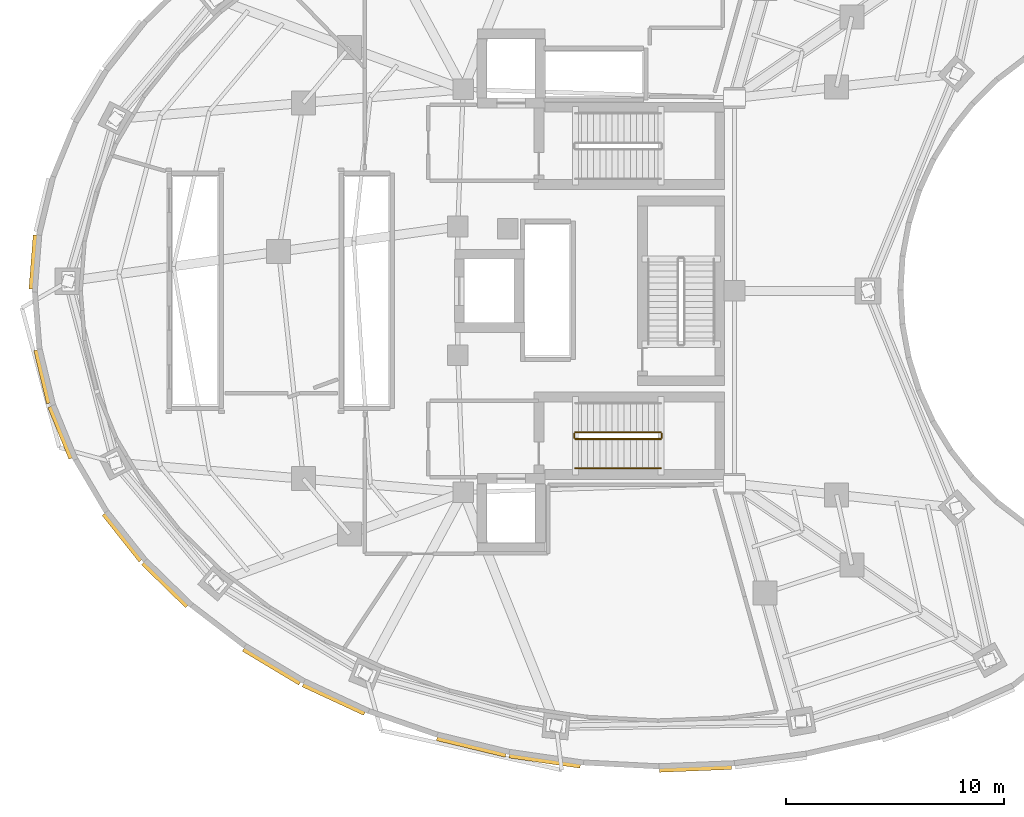
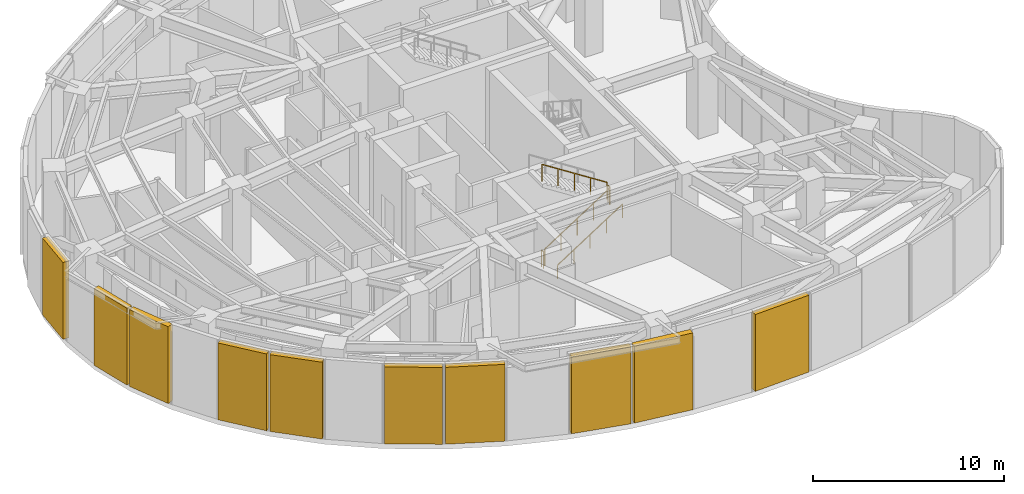
# One storey, part 8 of 10: 10 shading devices, 5 railings.
"""IFC4 building model written with IfcOpenShell, lengths in metres."""

from ifc_helpers import new_model, si_unit, direction, frame, origin, origin_2d, place, context, subcontext, project, spatial, rectangle, extrude, material, layer, layer_set, type_object, element, save


model = new_model("IFC4")

# Units and contexts
model_context = context("Model", 3, precision=1e-05, world=origin(), true_north=direction((0.0, 1.0)))
body_context = subcontext(model_context, "Body", "Model", "MODEL_VIEW")
ifc_project = project(units=[si_unit("LENGTHUNIT", "METRE"), si_unit("AREAUNIT", "SQUARE_METRE"), si_unit("VOLUMEUNIT", "CUBIC_METRE"), si_unit("PLANEANGLEUNIT", "RADIAN"), si_unit("MASSUNIT", "GRAM", prefix="KILO")], contexts=[model_context])

# Site, building, storey
site_placement = place(None, origin())
site = spatial("IfcSite", under=ifc_project, at=site_placement, CompositionType="ELEMENT")
building_placement = place(site_placement, origin())
building = spatial("IfcBuilding", under=site, at=building_placement, Name="Korentha Bioscience Tower", CompositionType="ELEMENT")
storey_placement = place(building_placement, frame((0.0, 0.0, 84.60009765625)))
storey = spatial("IfcBuildingStorey", under=building, at=storey_placement, Name="L19", CompositionType="ELEMENT", Elevation=84.60009765625)

# Shading devices
ifc_material_1 = material(Name="Powder-Coated Aluminium Louvre", Category="aluminium")
ifc_layer = layer(ifc_material_1, 0.1201171875, Name="Powder-Coated Aluminium Louvre")
ifc_layer_set = layer_set([ifc_layer], Name="Powder-Coated Aluminium Louvre (LV-350)")
shading_device_type = type_object("IfcShadingDeviceType", Name="Acoustic Weatherproof Aluminium Plant Louvre 350", PredefinedType="USERDEFINED", material=ifc_layer_set)
shading_device_1_placement = place(storey_placement, frame((5.4384765625, 28.314697265625, 0.099853515625), z_axis=(0.0, 0.0, 1.0), x_axis=(-0.079105549384, -0.996866245821, 0.0)))
element("IfcShadingDevice", 1, at=shading_device_1_placement, inside=storey, type_object=shading_device_type, Name="L19 Acoustic Plant Louvre 18", ObjectType="LOUVRE", PredefinedType="USERDEFINED", context=body_context, shape_type="SweptSolid", body=[
    extrude(rectangle(XDim=2.480712890625, YDim=0.35009765625, at=origin_2d()), origin(), (0.0, 0.0, 1.0), 4.89990234375),
])
shading_device_2_placement = place(storey_placement, frame((5.854248046875, 23.074951171875, 0.099853515625), z_axis=(0.0, 0.0, 1.0), x_axis=(0.233725851119, -0.972302538575, 0.0)))
element("IfcShadingDevice", 2, at=shading_device_2_placement, inside=storey, type_object=shading_device_type, Name="L19 Acoustic Plant Louvre 20", ObjectType="LOUVRE", PredefinedType="USERDEFINED", context=body_context, shape_type="SweptSolid", body=[
    extrude(rectangle(XDim=2.508544921875, YDim=0.35009765625, at=origin_2d()), origin(), (0.0, 0.0, 1.0), 4.89990234375),
])
shading_device_3_placement = place(storey_placement, frame((6.679931640625, 20.52099609375, 0.099853515625), z_axis=(0.0, 0.0, 1.0), x_axis=(0.378349516575, -0.925662812966, 0.0)))
element("IfcShadingDevice", 3, at=shading_device_3_placement, inside=storey, type_object=shading_device_type, Name="L19 Acoustic Plant Louvre 21", ObjectType="LOUVRE", PredefinedType="USERDEFINED", context=body_context, shape_type="SweptSolid", body=[
    extrude(rectangle(XDim=2.561279296875, YDim=0.35009765625, at=origin_2d()), origin(), (0.0, 0.0, 1.0), 4.89990234375),
])
shading_device_4_placement = place(storey_placement, frame((9.5078125, 15.728759765625, 0.099853515625), z_axis=(0.0, 0.0, 1.0), x_axis=(0.620992422983, -0.783816566932, 0.0)))
element("IfcShadingDevice", 4, at=shading_device_4_placement, inside=storey, type_object=shading_device_type, Name="L19 Acoustic Plant Louvre 23", ObjectType="LOUVRE", PredefinedType="USERDEFINED", context=body_context, shape_type="SweptSolid", body=[
    extrude(rectangle(XDim=2.72412109375, YDim=0.35009765625, at=origin_2d()), origin(), (0.0, 0.0, 1.0), 4.89990234375),
])
shading_device_5_placement = place(storey_placement, frame((11.46923828125, 13.559814453125, 0.099853515625), z_axis=(0.0, 0.0, 1.0), x_axis=(0.716103218447, -0.697994398638, 0.0)))
element("IfcShadingDevice", 5, at=shading_device_5_placement, inside=storey, type_object=shading_device_type, Name="L19 Acoustic Plant Louvre 24", ObjectType="LOUVRE", PredefinedType="USERDEFINED", context=body_context, shape_type="SweptSolid", body=[
    extrude(rectangle(XDim=2.822021484375, YDim=0.35009765625, at=origin_2d()), origin(), (0.0, 0.0, 1.0), 4.89990234375),
])
shading_device_6_placement = place(storey_placement, frame((16.34619140625, 9.831787109375, 0.099853515625), z_axis=(0.0, 0.0, 1.0), x_axis=(0.857603880545, -0.514310785493, 0.0)))
element("IfcShadingDevice", 6, at=shading_device_6_placement, inside=storey, type_object=shading_device_type, Name="L19 Acoustic Plant Louvre 26", ObjectType="LOUVRE", PredefinedType="USERDEFINED", context=body_context, shape_type="SweptSolid", body=[
    extrude(rectangle(XDim=3.0205078125, YDim=0.35009765625, at=origin_2d()), origin(), (0.0, 0.0, 1.0), 4.89990234375),
])
shading_device_7_placement = place(storey_placement, frame((19.19140625, 8.3271484375, 0.099853515625), z_axis=(0.0, 0.0, 1.0), x_axis=(0.907189925954, -0.420721330868, 0.0)))
element("IfcShadingDevice", 7, at=shading_device_7_placement, inside=storey, type_object=shading_device_type, Name="L19 Acoustic Plant Louvre 27", ObjectType="LOUVRE", PredefinedType="USERDEFINED", context=body_context, shape_type="SweptSolid", body=[
    extrude(rectangle(XDim=3.110107421875, YDim=0.35009765625, at=origin_2d()), origin(), (0.0, 0.0, 1.0), 4.89990234375),
])
shading_device_8_placement = place(storey_placement, frame((25.490478515625, 6.144287109375, 0.099853515625), z_axis=(0.0, 0.0, 1.0), x_axis=(0.972037887056, -0.234824074849, 0.0)))
element("IfcShadingDevice", 8, at=shading_device_8_placement, inside=storey, type_object=shading_device_type, Name="L19 Acoustic Plant Louvre 29", ObjectType="LOUVRE", PredefinedType="USERDEFINED", context=body_context, shape_type="SweptSolid", body=[
    extrude(rectangle(XDim=3.24853515625, YDim=0.35009765625, at=origin_2d()), origin(), (0.0, 0.0, 1.0), 4.89990234375),
])
shading_device_9_placement = place(storey_placement, frame((28.853271484375, 5.497802734375, 0.099853515625), z_axis=(0.0, 0.0, 1.0), x_axis=(0.989736873262, -0.142901790424, 0.0)))
element("IfcShadingDevice", 9, at=shading_device_9_placement, inside=storey, type_object=shading_device_type, Name="L19 Acoustic Plant Louvre 30", ObjectType="LOUVRE", PredefinedType="USERDEFINED", context=body_context, shape_type="SweptSolid", body=[
    extrude(rectangle(XDim=3.291259765625, YDim=0.35009765625, at=origin_2d()), origin(), (0.0, 0.0, 1.0), 4.89990234375),
])
shading_device_10_placement = place(storey_placement, frame((35.762939453125, 5.1416015625, 0.099853515625), z_axis=(0.0, 0.0, 1.0), x_axis=(0.999211267714, 0.039709475861, 0.0)))
element("IfcShadingDevice", 10, at=shading_device_10_placement, inside=storey, type_object=shading_device_type, Name="L19 Acoustic Plant Louvre 32", ObjectType="LOUVRE", PredefinedType="USERDEFINED", context=body_context, shape_type="SweptSolid", body=[
    extrude(rectangle(XDim=3.315185546875, YDim=0.35009765625, at=origin_2d()), origin(), (0.0, 0.0, 1.0), 4.89990234375),
])

# Railings
ifc_material_2 = material(Name="Stainless Steel 304", Category="steel")
railing_type_1 = type_object("IfcRailingType", Name="Brushed Stainless Stair Handrail 900", PredefinedType="HANDRAIL", material=ifc_material_2)
railing_1_placement = place(storey_placement, frame((30.25, 18.85009765625, 0.179931640625)))
element("IfcRailing", 11, at=railing_1_placement, inside=storey, type_object=railing_type_1, Name="L19 ST-2 stair handrail 1", PredefinedType="HANDRAIL", context=body_context, shape_type="SweptSolid", body=[
    extrude(rectangle(XDim=0.048095703125, YDim=0.048095703125, at=origin_2d()), frame((0.0, 0.0, 0.8759765625), z_axis=(0.841171666519, 0.0, 0.540768182723), x_axis=(0.0, 1.0, 0.0)), (0.0, 0.0, 1.0), 4.66015625),
    extrude(rectangle(XDim=0.0419921875, YDim=0.0419921875, at=origin_2d()), origin(), (0.0, 0.0, 1.0), 0.851806640625),
    extrude(rectangle(XDim=0.0419921875, YDim=0.0419921875, at=origin_2d()), frame((0.97998046875, 0.0, 0.6298828125)), (0.0, 0.0, 1.0), 0.851806640625),
    extrude(rectangle(XDim=0.0419921875, YDim=0.0419921875, at=origin_2d()), frame((1.9599609375, 0.0, 1.260009765625)), (0.0, 0.0, 1.0), 0.851806640625),
    extrude(rectangle(XDim=0.0419921875, YDim=0.0419921875, at=origin_2d()), frame((2.93994140625, 0.0, 1.89013671875)), (0.0, 0.0, 1.0), 0.851806640625),
    extrude(rectangle(XDim=0.0419921875, YDim=0.0419921875, at=origin_2d()), frame((3.919921875, 0.0, 2.52001953125)), (0.0, 0.0, 1.0), 0.851806640625),
])
ifc_material_3 = material(Name="Painted Steel S275", Category="steel")
railing_type_2 = type_object("IfcRailingType", Name="Painted Steel Stair Well Guardrail 1100", PredefinedType="GUARDRAIL", material=ifc_material_3)
railing_2_placement = place(storey_placement, frame((30.25, 20.199951171875, 0.179931640625)))
element("IfcRailing", 12, at=railing_2_placement, inside=storey, type_object=railing_type_2, Name="L19 ST-2 stair guard 1", PredefinedType="GUARDRAIL", context=body_context, shape_type="SweptSolid", body=[
    extrude(rectangle(XDim=0.048095703125, YDim=0.048095703125, at=origin_2d()), frame((0.0, 0.0, 1.076171875), z_axis=(0.841171666519, 0.0, 0.540768182723), x_axis=(0.0, 1.0, 0.0)), (0.0, 0.0, 1.0), 4.66015625),
    extrude(rectangle(XDim=0.0419921875, YDim=0.0419921875, at=origin_2d()), origin(), (0.0, 0.0, 1.0), 1.052001953125),
    extrude(rectangle(XDim=0.0419921875, YDim=0.0419921875, at=origin_2d()), frame((0.97998046875, 0.0, 0.6298828125)), (0.0, 0.0, 1.0), 1.052001953125),
    extrude(rectangle(XDim=0.0419921875, YDim=0.0419921875, at=origin_2d()), frame((1.9599609375, 0.0, 1.260009765625)), (0.0, 0.0, 1.0), 1.052001953125),
    extrude(rectangle(XDim=0.0419921875, YDim=0.0419921875, at=origin_2d()), frame((2.93994140625, 0.0, 1.89013671875)), (0.0, 0.0, 1.0), 1.052001953125),
    extrude(rectangle(XDim=0.0419921875, YDim=0.0419921875, at=origin_2d()), frame((3.919921875, 0.0, 2.52001953125)), (0.0, 0.0, 1.0), 1.052001953125),
])
railing_3_placement = place(storey_placement, frame((34.219970703125, 20.25, 2.699951171875)))
element("IfcRailing", 13, at=railing_3_placement, inside=storey, type_object=railing_type_2, Name="L19 ST-2 stair guard 2", PredefinedType="GUARDRAIL", context=body_context, shape_type="SweptSolid", body=[
    extrude(rectangle(XDim=0.048095703125, YDim=0.048095703125, at=origin_2d()), frame((0.0, 0.0, 1.076171875), z_axis=(0.0, 1.0, 0.0), x_axis=(-1.0, 0.0, 0.0)), (0.0, 0.0, 1.0), 0.199951171875),
    extrude(rectangle(XDim=0.0419921875, YDim=0.0419921875, at=origin_2d()), origin(), (0.0, 0.0, 1.0), 1.052001953125),
    extrude(rectangle(XDim=0.0419921875, YDim=0.0419921875, at=origin_2d()), frame((0.0, 0.199951171875, 0.0)), (0.0, 0.0, 1.0), 1.052001953125),
])
railing_4_placement = place(storey_placement, frame((34.169921875, 20.5, 2.8798828125)))
element("IfcRailing", 14, at=railing_4_placement, inside=storey, type_object=railing_type_2, Name="L19 ST-2 stair guard 3", PredefinedType="GUARDRAIL", context=body_context, shape_type="SweptSolid", body=[
    extrude(rectangle(XDim=0.048095703125, YDim=0.048095703125, at=origin_2d()), frame((0.0, 0.0, 1.076171875), z_axis=(-0.841171666519, 0.0, 0.540768182723), x_axis=(0.0, -1.0, 0.0)), (0.0, 0.0, 1.0), 4.66015625),
    extrude(rectangle(XDim=0.0419921875, YDim=0.0419921875, at=origin_2d()), origin(), (0.0, 0.0, 1.0), 1.052001953125),
    extrude(rectangle(XDim=0.0419921875, YDim=0.0419921875, at=origin_2d()), frame((-0.97998046875, 0.0, 0.6298828125)), (0.0, 0.0, 1.0), 1.052001953125),
    extrude(rectangle(XDim=0.0419921875, YDim=0.0419921875, at=origin_2d()), frame((-1.9599609375, 0.0, 1.260009765625)), (0.0, 0.0, 1.0), 1.052001953125),
    extrude(rectangle(XDim=0.0419921875, YDim=0.0419921875, at=origin_2d()), frame((-2.93994140625, 0.0, 1.89013671875)), (0.0, 0.0, 1.0), 1.052001953125),
    extrude(rectangle(XDim=0.0419921875, YDim=0.0419921875, at=origin_2d()), frame((-3.919921875, 0.0, 2.52001953125)), (0.0, 0.0, 1.0), 1.052001953125),
])
railing_5_placement = place(storey_placement, frame((30.199951171875, 20.25, 0.0)))
element("IfcRailing", 15, at=railing_5_placement, inside=storey, type_object=railing_type_2, Name="L19 ST-2 stair guard 4", PredefinedType="GUARDRAIL", context=body_context, shape_type="SweptSolid", body=[
    extrude(rectangle(XDim=0.048095703125, YDim=0.048095703125, at=origin_2d()), frame((0.0, 0.0, 1.076171875), z_axis=(0.0, 1.0, 0.0), x_axis=(-1.0, 0.0, 0.0)), (0.0, 0.0, 1.0), 0.199951171875),
    extrude(rectangle(XDim=0.0419921875, YDim=0.0419921875, at=origin_2d()), origin(), (0.0, 0.0, 1.0), 1.052001953125),
    extrude(rectangle(XDim=0.0419921875, YDim=0.0419921875, at=origin_2d()), frame((0.0, 0.199951171875, 0.0)), (0.0, 0.0, 1.0), 1.052001953125),
])

save(model, "model.ifc")
